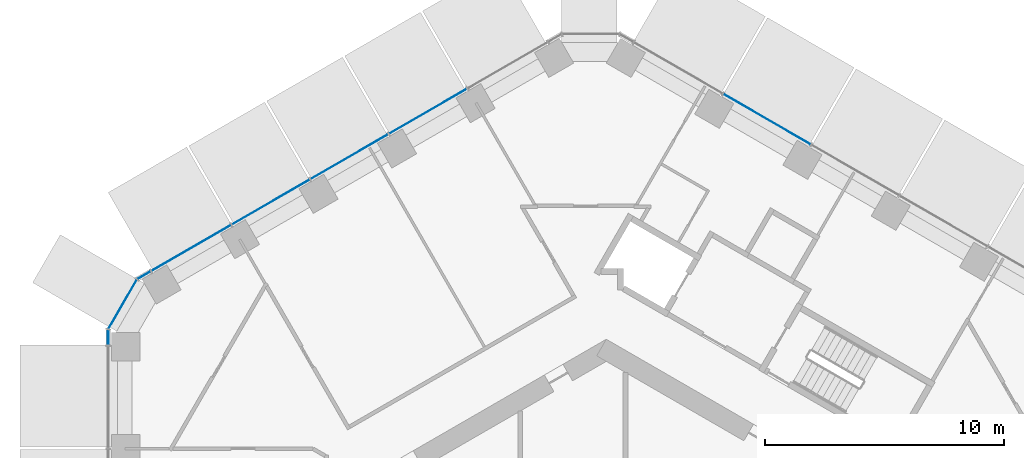
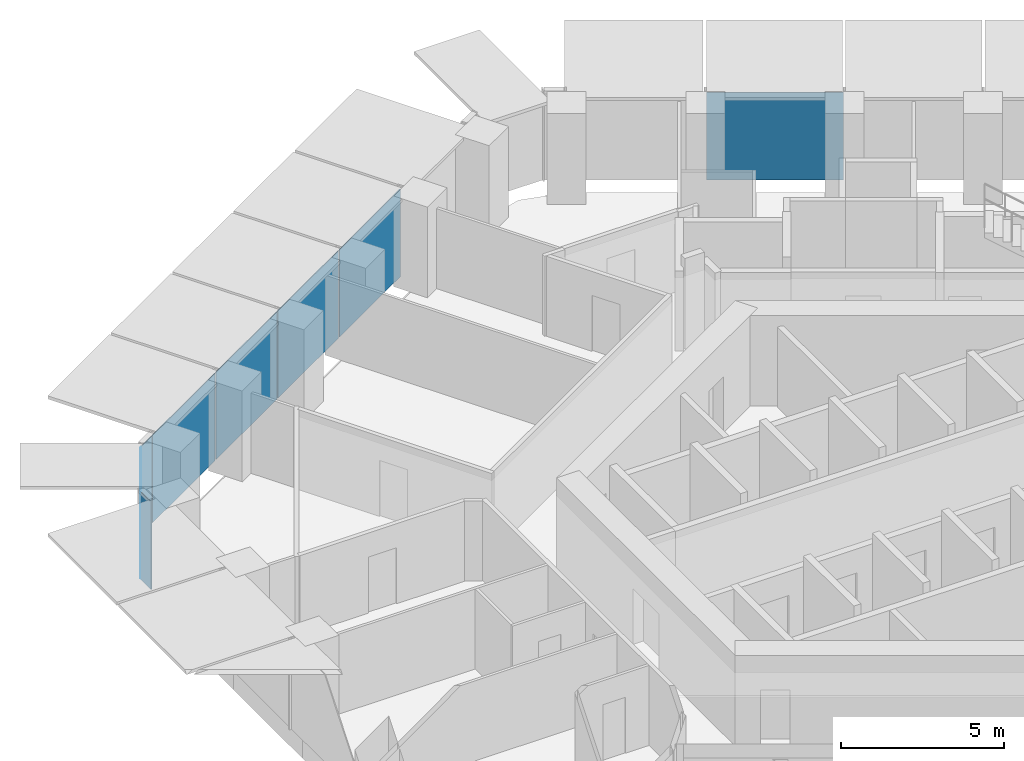
# One storey, part 10 of 22: 8 plates, 3 elements without a shape of their own.
"""IFC4 building model written with IfcOpenShell, lengths in metres."""

from ifc_helpers import new_model, si_unit, direction, frame, origin, origin_2d, place, context, subcontext, project, spatial, rectangle, extrude, material, layer, layer_set, type_object, element, aggregate, save


model = new_model("IFC4")

# Units and contexts
model_context = context("Model", 3, precision=1e-05, world=origin(), true_north=direction((0.0, 1.0)))
body_context = subcontext(model_context, "Body", "Model", "MODEL_VIEW")
ifc_project = project(units=[si_unit("LENGTHUNIT", "METRE"), si_unit("AREAUNIT", "SQUARE_METRE"), si_unit("VOLUMEUNIT", "CUBIC_METRE"), si_unit("PLANEANGLEUNIT", "RADIAN"), si_unit("MASSUNIT", "GRAM", prefix="KILO")], contexts=[model_context])

# Site, building, storey
site_placement = place(None, origin())
site = spatial("IfcSite", under=ifc_project, at=site_placement, CompositionType="ELEMENT")
building_placement = place(site_placement, origin())
building = spatial("IfcBuilding", under=site, at=building_placement, Name="Ayvan Gate Tower", CompositionType="ELEMENT")
storey_placement = place(building_placement, frame((0.0, 0.0, 62.89990234375)))
storey = spatial("IfcBuildingStorey", under=building, at=storey_placement, Name="L16", CompositionType="ELEMENT", Elevation=62.89990234375)

# Curtain wall, plates
ifc_material_1 = material(Name="Bronze anodised aluminium", Category="aluminium")
ifc_layer_1 = layer(ifc_material_1, 0.199951171875)
ifc_layer_set_1 = layer_set([ifc_layer_1], Name="Bronze anodised aluminium")
curtain_wall_type_1 = type_object("IfcCurtainWallType", Name="Stick curtain wall CW-1", PredefinedType="NOTDEFINED", material=ifc_layer_set_1)
curtain_wall_1_placement = place(storey_placement, origin())
curtain_wall_1 = element("IfcCurtainWall", 1, at=curtain_wall_1_placement, inside=storey, type_object=curtain_wall_type_1, Name="Stick curtain wall CW-1 L16", PredefinedType="NOTDEFINED")
ifc_material_2 = material(Name="Clear low-iron laminated glass", Category="glass")
ifc_layer_2 = layer(ifc_material_2, 0.028076171875)
ifc_layer_set_2 = layer_set([ifc_layer_2], Name="Clear low-iron laminated glass")
plate_type_1 = type_object("IfcPlateType", Name="Stick curtain wall CW-1 glass panel", PredefinedType="CURTAIN_PANEL", material=ifc_layer_set_2)
plate_1_placement = place(storey_placement, frame((-7.4580078125, 20.50244140625, 0.0), z_axis=(0.0, 0.0, 1.0), x_axis=(-0.866025403784, -0.5, 0.0)))
plate_1 = element("IfcPlate", 2, at=plate_1_placement, type_object=plate_type_1, Name="CW-1 glass panel 2", PredefinedType="CURTAIN_PANEL", context=body_context, shape_type="SweptSolid", body=[
    extrude(rectangle(XDim=3.73193359375, YDim=0.028076171875, at=origin_2d()), origin(), (0.0, 0.0, 1.0), 3.280029296875),
])
plate_2_placement = place(storey_placement, frame((-10.741943359375, 18.6064453125, 0.0), z_axis=(0.0, 0.0, 1.0), x_axis=(-0.866025403784, -0.5, 0.0)))
plate_2 = element("IfcPlate", 3, at=plate_2_placement, type_object=plate_type_1, Name="CW-1 glass panel 3", PredefinedType="CURTAIN_PANEL", context=body_context, shape_type="SweptSolid", body=[
    extrude(rectangle(XDim=3.73193359375, YDim=0.028076171875, at=origin_2d()), origin(), (0.0, 0.0, 1.0), 3.280029296875),
])
plate_3_placement = place(storey_placement, frame((-14.026123046875, 16.71044921875, 0.0), z_axis=(0.0, 0.0, 1.0), x_axis=(-0.866025403784, -0.5, 0.0)))
plate_3 = element("IfcPlate", 4, at=plate_3_placement, type_object=plate_type_1, Name="CW-1 glass panel 4", PredefinedType="CURTAIN_PANEL", context=body_context, shape_type="SweptSolid", body=[
    extrude(rectangle(XDim=3.73193359375, YDim=0.028076171875, at=origin_2d()), origin(), (0.0, 0.0, 1.0), 3.280029296875),
])
plate_4_placement = place(storey_placement, frame((-17.36474609375, 14.78271484375, 0.0), z_axis=(0.0, 0.0, 1.0), x_axis=(-0.866025403784, -0.5, 0.0)))
plate_4 = element("IfcPlate", 5, at=plate_4_placement, type_object=plate_type_1, Name="CW-1 glass panel 5", PredefinedType="CURTAIN_PANEL", context=body_context, shape_type="SweptSolid", body=[
    extrude(rectangle(XDim=3.858642578125, YDim=0.028076171875, at=origin_2d()), origin(), (0.0, 0.0, 1.0), 3.280029296875),
])
aggregate(curtain_wall_1, [plate_1, plate_2, plate_3, plate_4])

# Curtain wall, plate
curtain_wall_2_placement = place(storey_placement, origin())
curtain_wall_2 = element("IfcCurtainWall", 6, at=curtain_wall_2_placement, inside=storey, type_object=curtain_wall_type_1, Name="Stick curtain wall CW-1 L16", PredefinedType="NOTDEFINED")
plate_5_placement = place(storey_placement, frame((6.72265625, 20.173095703125, 0.0), z_axis=(0.0, 0.0, 1.0), x_axis=(-0.866025403784, 0.5, 0.0)))
plate_5 = element("IfcPlate", 7, at=plate_5_placement, type_object=plate_type_1, Name="CW-1 glass panel 4", PredefinedType="CURTAIN_PANEL", context=body_context, shape_type="SweptSolid", body=[
    extrude(rectangle(XDim=4.205078125, YDim=0.028076171875, at=origin_2d()), origin(), (0.0, 0.0, 1.0), 3.280029296875),
])
aggregate(curtain_wall_2, [plate_5])

# Curtain wall, plates
ifc_layer_3 = layer(ifc_material_1, 0.199951171875)
ifc_layer_set_3 = layer_set([ifc_layer_3], Name="Bronze anodised aluminium")
curtain_wall_type_2 = type_object("IfcCurtainWallType", Name="Stick curtain wall CW-6", PredefinedType="NOTDEFINED", material=ifc_layer_set_3)
curtain_wall_3_placement = place(storey_placement, origin())
curtain_wall_3 = element("IfcCurtainWall", 8, at=curtain_wall_3_placement, inside=storey, type_object=curtain_wall_type_2, Name="Stick curtain wall CW-6 L16", PredefinedType="NOTDEFINED")
ifc_layer_4 = layer(ifc_material_2, 0.028076171875)
ifc_layer_set_4 = layer_set([ifc_layer_4], Name="Clear low-iron laminated glass")
plate_type_2 = type_object("IfcPlateType", Name="Stick curtain wall CW-6 glass panel", PredefinedType="CURTAIN_PANEL", material=ifc_layer_set_4)
plate_6_placement = place(storey_placement, frame((-19.332275390625, 13.646728515625, 0.0), z_axis=(0.0, 0.0, 1.0), x_axis=(-0.866025403784, -0.5, 0.0)))
plate_6 = element("IfcPlate", 9, at=plate_6_placement, type_object=plate_type_2, Name="CW-6 glass panel 1", PredefinedType="CURTAIN_PANEL", context=body_context, shape_type="SweptSolid", body=[
    extrude(rectangle(XDim=0.625, YDim=0.028076171875, at=origin_2d()), origin(), (0.0, 0.0, 1.0), 3.280029296875),
])
plate_7_placement = place(storey_placement, frame((-20.228271484375, 12.4326171875, 0.0), z_axis=(0.0, 0.0, 1.0), x_axis=(-0.5, -0.866025403784, 0.0)))
plate_7 = element("IfcPlate", 10, at=plate_7_placement, type_object=plate_type_2, Name="CW-6 glass panel 2", PredefinedType="CURTAIN_PANEL", context=body_context, shape_type="SweptSolid", body=[
    extrude(rectangle(XDim=2.364501953125, YDim=0.028076171875, at=origin_2d()), origin(), (0.0, 0.0, 1.0), 3.280029296875),
])
plate_8_placement = place(storey_placement, frame((-20.831787109375, 11.049560546875, 0.0), z_axis=(0.0, 0.0, 1.0), x_axis=(0.0, -1.0, 0.0)))
plate_8 = element("IfcPlate", 11, at=plate_8_placement, type_object=plate_type_2, Name="CW-6 glass panel 3", PredefinedType="CURTAIN_PANEL", context=body_context, shape_type="SweptSolid", body=[
    extrude(rectangle(XDim=0.625, YDim=0.028076171875, at=origin_2d()), origin(), (0.0, 0.0, 1.0), 3.280029296875),
])
aggregate(curtain_wall_3, [plate_6, plate_7, plate_8])

save(model, "model.ifc")
